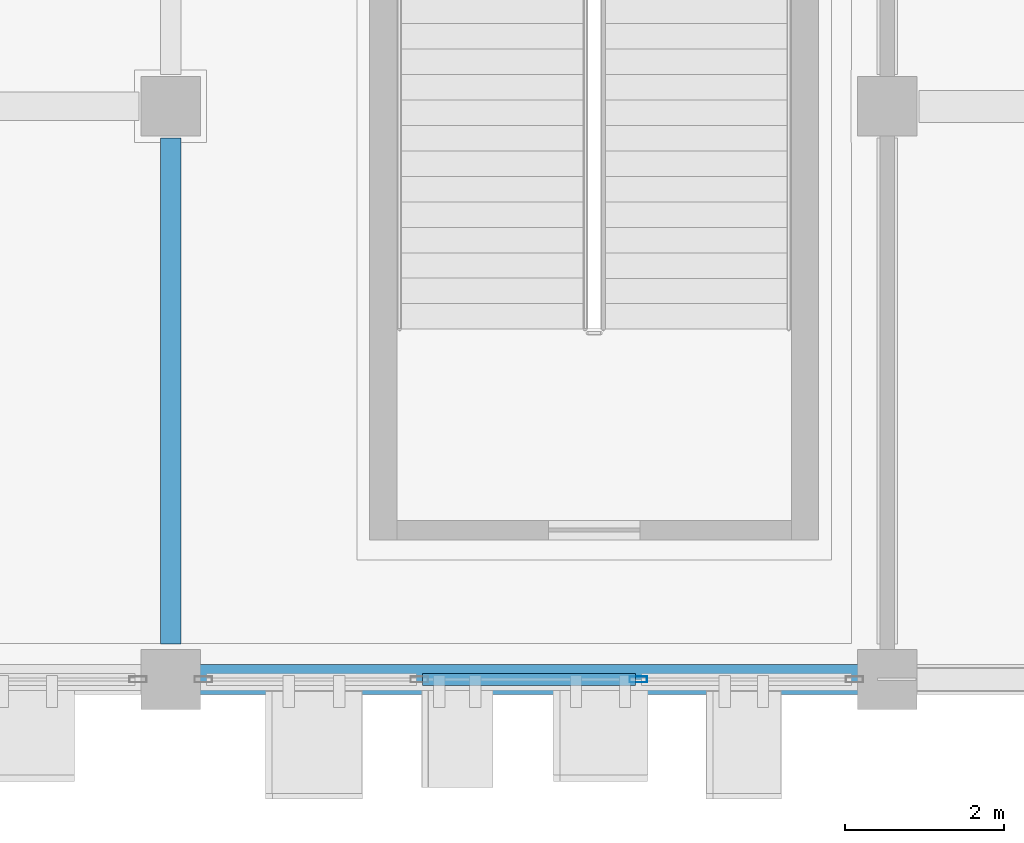
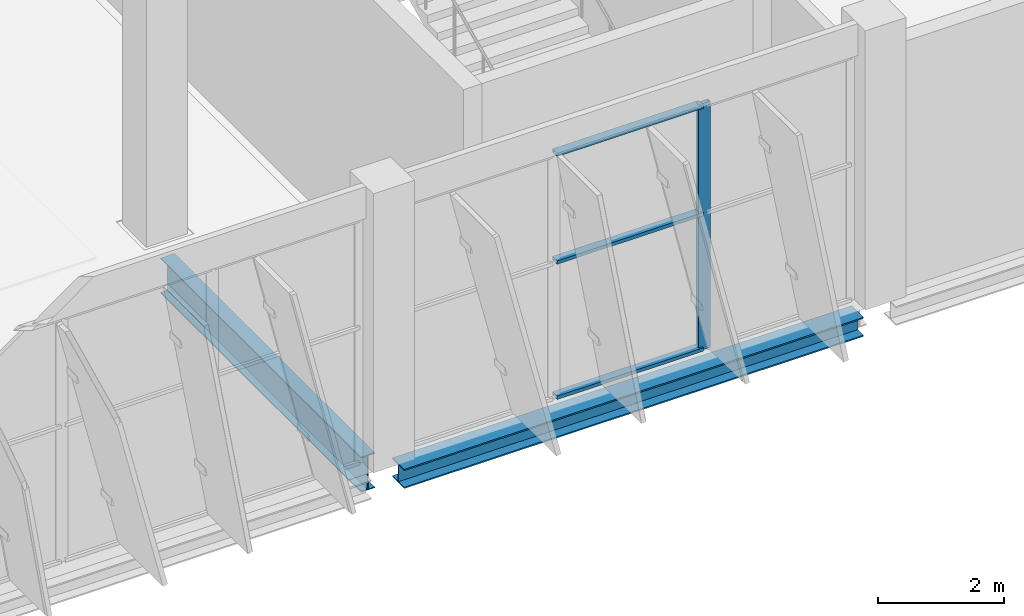
# One storey, part 43 of 189: 4 members, 2 beams, 1 element without a shape of its own.
"""IFC4 building model written with IfcOpenShell, lengths in metres."""

from ifc_helpers import new_model, si_unit, direction, frame, origin, origin_2d, place, context, subcontext, project, spatial, hollow_rectangle, i_section, extrude, material, layer, layer_set, material_profile, profile_set, type_object, element, aggregate, save


model = new_model("IFC4")

# Units and contexts
model_context = context("Model", 3, precision=1e-05, world=origin(), true_north=direction((0.0, 1.0)))
body_context = subcontext(model_context, "Body", "Model", "MODEL_VIEW")
ifc_project = project(units=[si_unit("LENGTHUNIT", "METRE"), si_unit("AREAUNIT", "SQUARE_METRE"), si_unit("VOLUMEUNIT", "CUBIC_METRE"), si_unit("PLANEANGLEUNIT", "RADIAN"), si_unit("MASSUNIT", "GRAM", prefix="KILO")], contexts=[model_context])

# Site, building, storey
site_placement = place(None, origin())
site = spatial("IfcSite", under=ifc_project, at=site_placement, CompositionType="ELEMENT")
building_placement = place(site_placement, origin())
building = spatial("IfcBuilding", under=site, at=building_placement, Name="Celestram Park Convention Centre", CompositionType="ELEMENT")
storey_placement = place(building_placement, frame((0.0, 0.0, 5.39990234375)))
storey = spatial("IfcBuildingStorey", under=building, at=storey_placement, Name="L01", CompositionType="ELEMENT", Elevation=5.39990234375)

# Curtain wall, members
ifc_material_1 = material(Name="Anodised Aluminium Alloy 6063-T6", Category="aluminium")
ifc_layer = layer(ifc_material_1, 0.179931640625)
ifc_layer_set = layer_set([ifc_layer], Name="Anodised Aluminium Alloy 6063-T6")
curtain_wall_type = type_object("IfcCurtainWallType", Name="ARC-CW-825X476", PredefinedType="NOTDEFINED", material=ifc_layer_set)
curtain_wall_placement = place(storey_placement, origin())
curtain_wall = element("IfcCurtainWall", 1, at=curtain_wall_placement, inside=storey, type_object=curtain_wall_type, Name="Unitised curtain wall CU-L01-111", PredefinedType="NOTDEFINED")
ifc_material_profile_1 = material_profile(ifc_material_1, hollow_rectangle(XDim=0.074951171875, YDim=0.219970703125, WallThickness=0.00390625, at=origin_2d()), Name="ALU75X220X4")
ifc_profile_set_1 = profile_set([ifc_material_profile_1], Name="Anodised Aluminium Alloy 6063-T6")
member_type_1 = type_object("IfcMemberType", Name="ARC-CWM-180", PredefinedType="MULLION", material=ifc_profile_set_1)
member_1_placement = place(storey_placement, frame((158.875732421875, 0.0, 0.0), z_axis=(0.0, 0.0, 1.0), x_axis=(0.0, -1.0, 0.0)))
member_1 = element("IfcMember", 2, at=member_1_placement, type_object=member_type_1, Name="CW-82X47 mullion 2", PredefinedType="MULLION", context=body_context, shape_type="SweptSolid", body=[
    extrude(hollow_rectangle(XDim=0.074951171875, YDim=0.219970703125, WallThickness=0.00390625, at=origin_2d()), origin(), (0.0, 0.0, 1.0), 4.76416015625),
])
ifc_material_profile_2 = material_profile(ifc_material_1, hollow_rectangle(XDim=0.14990234375, YDim=0.06494140625, WallThickness=0.0029296875, at=origin_2d()), Name="ALU150X65X3")
ifc_profile_set_2 = profile_set([ifc_material_profile_2], Name="Anodised Aluminium Alloy 6063-T6")
member_type_2 = type_object("IfcMemberType", Name="ARC-CWT-150", PredefinedType="USERDEFINED", material=ifc_profile_set_2)
member_2_placement = place(storey_placement, frame((158.838134765625, 0.0, 0.03271484375), z_axis=(-1.0, 0.0, 0.0), x_axis=(0.0, -1.0, 0.0)))
member_2 = element("IfcMember", 3, at=member_2_placement, type_object=member_type_2, Name="CW-82X47 transom 2.1", ObjectType="TRANSOM", PredefinedType="USERDEFINED", context=body_context, shape_type="SweptSolid", body=[
    extrude(hollow_rectangle(XDim=0.14990234375, YDim=0.06494140625, WallThickness=0.0029296875, at=origin_2d()), origin(), (0.0, 0.0, 1.0), 2.67626953125),
])
member_3_placement = place(storey_placement, frame((158.838134765625, 0.0, 2.650146484375), z_axis=(-1.0, 0.0, 0.0), x_axis=(0.0, -1.0, 0.0)))
member_3 = element("IfcMember", 4, at=member_3_placement, type_object=member_type_2, Name="CW-82X47 transom 2.2", ObjectType="TRANSOM", PredefinedType="USERDEFINED", context=body_context, shape_type="SweptSolid", body=[
    extrude(hollow_rectangle(XDim=0.14990234375, YDim=0.06494140625, WallThickness=0.0029296875, at=origin_2d()), origin(), (0.0, 0.0, 1.0), 2.67626953125),
])
member_4_placement = place(storey_placement, frame((158.838134765625, 0.0, 4.731689453125), z_axis=(-1.0, 0.0, 0.0), x_axis=(0.0, -1.0, 0.0)))
member_4 = element("IfcMember", 5, at=member_4_placement, type_object=member_type_2, Name="CW-82X47 transom 2.3", ObjectType="TRANSOM", PredefinedType="USERDEFINED", context=body_context, shape_type="SweptSolid", body=[
    extrude(hollow_rectangle(XDim=0.14990234375, YDim=0.06494140625, WallThickness=0.0029296875, at=origin_2d()), origin(), (0.0, 0.0, 1.0), 2.67626953125),
])
aggregate(curtain_wall, [member_1, member_2, member_3, member_4])

# Beams
ifc_material_2 = material(Name="Steel ASTM A992 Grade 50", Category="steel")
ifc_material_profile_3 = material_profile(ifc_material_2, i_section(OverallWidth=0.25390625, OverallDepth=0.68310546875, WebThickness=0.012451171875, FlangeThickness=0.01904296875, at=origin_2d()), Name="W27X94")
ifc_profile_set_3 = profile_set([ifc_material_profile_3], Name="Steel ASTM A992 Grade 50")
beam_type_1 = type_object("IfcBeamType", Name="STR-BM-W27X94", PredefinedType="BEAM", material=ifc_profile_set_3)
beam_1_placement = place(storey_placement, frame((153.0, 0.447998046875, -0.621337890625), z_axis=(0.0, 1.0, 0.0), x_axis=(-1.0, 0.0, 0.0)))
element("IfcBeam", 6, at=beam_1_placement, inside=storey, type_object=beam_type_1, Name="Primary Y-girder BG-L01-0358", PredefinedType="BEAM", context=body_context, shape_type="SweptSolid", body=[
    extrude(i_section(OverallWidth=0.25390625, OverallDepth=0.68310546875, WebThickness=0.012451171875, FlangeThickness=0.01904296875, at=origin_2d()), origin(), (0.0, 0.0, 1.0), 6.35400390625),
])
ifc_material_profile_4 = material_profile(ifc_material_2, i_section(OverallWidth=0.373046875, OverallDepth=0.373046875, WebThickness=0.016357421875, FlangeThickness=0.026123046875, at=origin_2d()), Name="W14X132")
ifc_profile_set_4 = profile_set([ifc_material_profile_4], Name="Steel ASTM A992 Grade 50")
beam_type_2 = type_object("IfcBeamType", Name="STR-SPN-W14X132", PredefinedType="SPANDREL", material=ifc_profile_set_4)
beam_2_placement = place(storey_placement, frame((153.298095703125, 0.0, -0.46630859375), z_axis=(1.0, 0.0, 0.0), x_axis=(0.0, 1.0, 0.0)))
element("IfcBeam", 7, at=beam_2_placement, inside=storey, type_object=beam_type_2, Name="Primary X-girder BG-L01-0357", PredefinedType="SPANDREL", context=body_context, shape_type="SweptSolid", body=[
    extrude(i_section(OverallWidth=0.373046875, OverallDepth=0.373046875, WebThickness=0.016357421875, FlangeThickness=0.026123046875, at=origin_2d()), origin(), (0.0, 0.0, 1.0), 8.40380859375),
])

save(model, "model.ifc")
